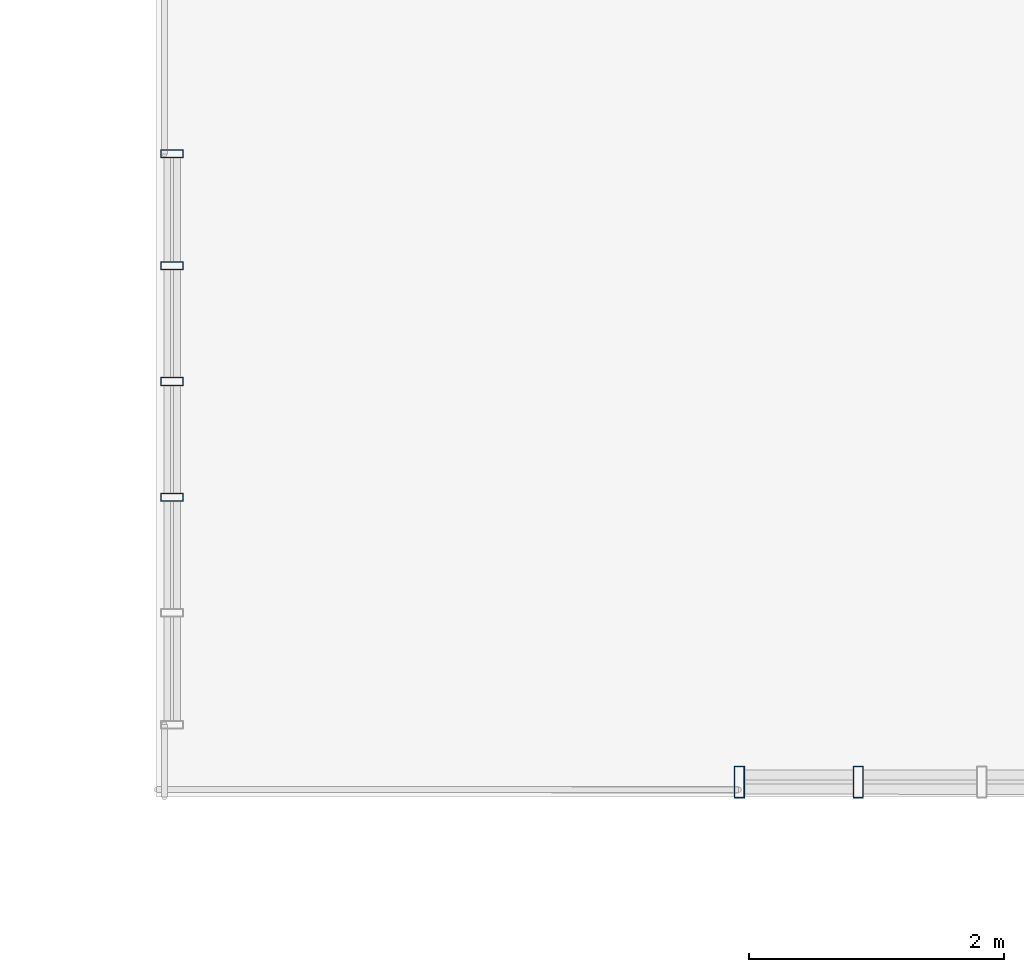
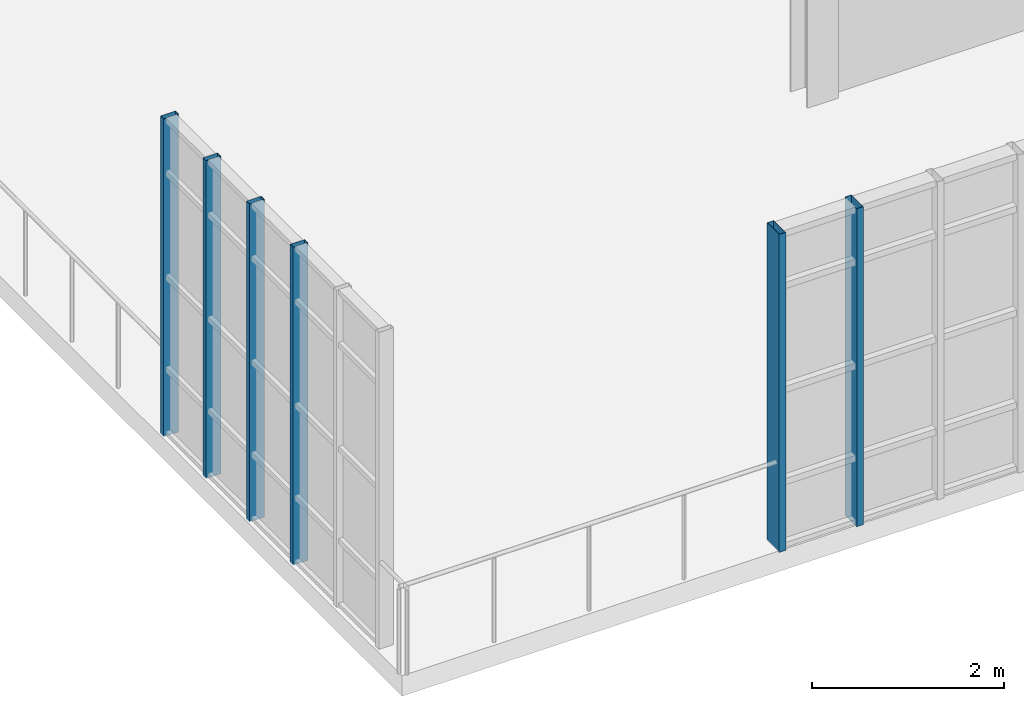
# One storey, part 44 of 118: 6 members, 2 elements without a shape of their own.
"""IFC4 building model written with IfcOpenShell, lengths in metres."""

from ifc_helpers import new_model, si_unit, direction, frame, origin, origin_2d, place, context, subcontext, project, spatial, hollow_rectangle, extrude, material, layer, layer_set, material_profile, profile_set, type_object, element, aggregate, save


model = new_model("IFC4")

# Units and contexts
model_context = context("Model", 3, precision=1e-05, world=origin(), true_north=direction((0.0, 1.0)))
body_context = subcontext(model_context, "Body", "Model", "MODEL_VIEW")
ifc_project = project(units=[si_unit("LENGTHUNIT", "METRE"), si_unit("AREAUNIT", "SQUARE_METRE"), si_unit("VOLUMEUNIT", "CUBIC_METRE"), si_unit("PLANEANGLEUNIT", "RADIAN"), si_unit("MASSUNIT", "GRAM", prefix="KILO"), si_unit("THERMODYNAMICTEMPERATUREUNIT", "KELVIN"), si_unit("POWERUNIT", "WATT")], contexts=[model_context])

# Site, building, storey
site_placement = place(None, origin())
site = spatial("IfcSite", under=ifc_project, at=site_placement, CompositionType="ELEMENT")
building_placement = place(site_placement, origin())
building = spatial("IfcBuilding", under=site, at=building_placement, Name="Zelmaris Science Centre", CompositionType="ELEMENT")
storey_placement = place(building_placement, frame((0.0, 0.0, 15.60009765625)))
storey = spatial("IfcBuildingStorey", under=building, at=storey_placement, Name="L03", CompositionType="ELEMENT", Elevation=15.60009765625)

# Curtain wall, members
ifc_material = material(Name="Anodised architectural aluminium 6063-T6", Category="aluminium")
ifc_layer_1 = layer(ifc_material, 0.2099609375, Name="Anodised architectural aluminium 6063-T6")
ifc_layer_set_1 = layer_set([ifc_layer_1], Name="Anodised architectural aluminium 6063-T6")
curtain_wall_type_1 = type_object("IfcCurtainWallType", Name="Curtain Wall CW-03", PredefinedType="USERDEFINED", material=ifc_layer_set_1)
curtain_wall_1_placement = place(storey_placement, origin())
curtain_wall_1 = element("IfcCurtainWall", 1, at=curtain_wall_1_placement, inside=storey, type_object=curtain_wall_type_1, Name="L03 Unitised curtain wall 331", ObjectType="GLAZED CURTAIN WALL", PredefinedType="USERDEFINED")
ifc_material_profile_1 = material_profile(ifc_material, hollow_rectangle(XDim=0.06494140625, YDim=0.179931640625, WallThickness=0.00390625, at=origin_2d()), Name="ALU-MUL-65X180")
ifc_profile_set_1 = profile_set([ifc_material_profile_1], Name="Anodised architectural aluminium 6063-T6")
member_type_1 = type_object("IfcMemberType", Name="ALU-MUL-65X180", PredefinedType="MULLION", material=ifc_profile_set_1)
member_1_placement = place(storey_placement, frame((99.1201171875, 51.35595703125, -0.01513671875), z_axis=(0.0, 0.0, 1.0), x_axis=(-5.235988e-06, 0.999999999986, 0.0)))
member_1 = element("IfcMember", 2, at=member_1_placement, type_object=member_type_1, Name="CW-03 mullion 3", PredefinedType="MULLION", context=body_context, shape_type="SweptSolid", body=[
    extrude(hollow_rectangle(XDim=0.06494140625, YDim=0.179931640625, WallThickness=0.00390625, at=origin_2d()), origin(), (0.0, 0.0, 1.0), 4.044921875),
])
member_2_placement = place(storey_placement, frame((99.1201171875, 52.26416015625, -0.01513671875), z_axis=(0.0, 0.0, 1.0), x_axis=(-5.235988e-06, 0.999999999986, 0.0)))
member_2 = element("IfcMember", 3, at=member_2_placement, type_object=member_type_1, Name="CW-03 mullion 4", PredefinedType="MULLION", context=body_context, shape_type="SweptSolid", body=[
    extrude(hollow_rectangle(XDim=0.06494140625, YDim=0.179931640625, WallThickness=0.00390625, at=origin_2d()), origin(), (0.0, 0.0, 1.0), 4.044921875),
])
member_3_placement = place(storey_placement, frame((99.1201171875, 53.172119140625, -0.01513671875), z_axis=(0.0, 0.0, 1.0), x_axis=(-5.235988e-06, 0.999999999986, 0.0)))
member_3 = element("IfcMember", 4, at=member_3_placement, type_object=member_type_1, Name="CW-03 mullion 5", PredefinedType="MULLION", context=body_context, shape_type="SweptSolid", body=[
    extrude(hollow_rectangle(XDim=0.06494140625, YDim=0.179931640625, WallThickness=0.00390625, at=origin_2d()), origin(), (0.0, 0.0, 1.0), 4.044921875),
])
member_4_placement = place(storey_placement, frame((99.1201171875, 54.051513671875, -0.01513671875), z_axis=(0.0, 0.0, 1.0), x_axis=(-5.235988e-06, 0.999999999986, 0.0)))
member_4 = element("IfcMember", 5, at=member_4_placement, type_object=member_type_1, Name="CW-03 mullion 6", PredefinedType="MULLION", context=body_context, shape_type="SweptSolid", body=[
    extrude(hollow_rectangle(XDim=0.06494140625, YDim=0.179931640625, WallThickness=0.00390625, at=origin_2d()), origin(), (0.0, 0.0, 1.0), 4.044921875),
])
aggregate(curtain_wall_1, [member_1, member_2, member_3, member_4])

ifc_layer_2 = layer(ifc_material, 0.18994140625, Name="Anodised architectural aluminium 6063-T6")
ifc_layer_set_2 = layer_set([ifc_layer_2], Name="Anodised architectural aluminium 6063-T6")
curtain_wall_type_2 = type_object("IfcCurtainWallType", Name="Curtain Wall CW-01", PredefinedType="USERDEFINED", material=ifc_layer_set_2)
curtain_wall_2_placement = place(storey_placement, origin())
curtain_wall_2 = element("IfcCurtainWall", 6, at=curtain_wall_2_placement, inside=storey, type_object=curtain_wall_type_2, Name="L03 Unitised curtain wall 329", ObjectType="GLAZED CURTAIN WALL", PredefinedType="USERDEFINED")
ifc_material_profile_2 = material_profile(ifc_material, hollow_rectangle(XDim=0.080078125, YDim=0.25, WallThickness=0.0048828125, at=origin_2d()), Name="ALU-MUL-80X250")
ifc_profile_set_2 = profile_set([ifc_material_profile_2], Name="Anodised architectural aluminium 6063-T6")
member_type_2 = type_object("IfcMemberType", Name="ALU-MUL-80X250", PredefinedType="MULLION", material=ifc_profile_set_2)
member_5_placement = place(storey_placement, frame((104.50830078125, 49.118408203125, -0.01513671875), z_axis=(0.0, 0.0, 1.0), x_axis=(-0.999999955983, 0.000296705968, 0.0)))
member_5 = element("IfcMember", 7, at=member_5_placement, type_object=member_type_2, Name="CW-01 mullion 4", PredefinedType="MULLION", context=body_context, shape_type="SweptSolid", body=[
    extrude(hollow_rectangle(XDim=0.080078125, YDim=0.25, WallThickness=0.0048828125, at=origin_2d()), origin(), (0.0, 0.0, 1.0), 4.044921875),
])
member_6_placement = place(storey_placement, frame((103.57470703125, 49.11865234375, -0.01513671875), z_axis=(0.0, 0.0, 1.0), x_axis=(-0.999999955983, 0.000296705968, 0.0)))
member_6 = element("IfcMember", 8, at=member_6_placement, type_object=member_type_2, Name="CW-01 mullion 5", PredefinedType="MULLION", context=body_context, shape_type="SweptSolid", body=[
    extrude(hollow_rectangle(XDim=0.080078125, YDim=0.25, WallThickness=0.0048828125, at=origin_2d()), origin(), (0.0, 0.0, 1.0), 4.044921875),
])
aggregate(curtain_wall_2, [member_5, member_6])

save(model, "model.ifc")
